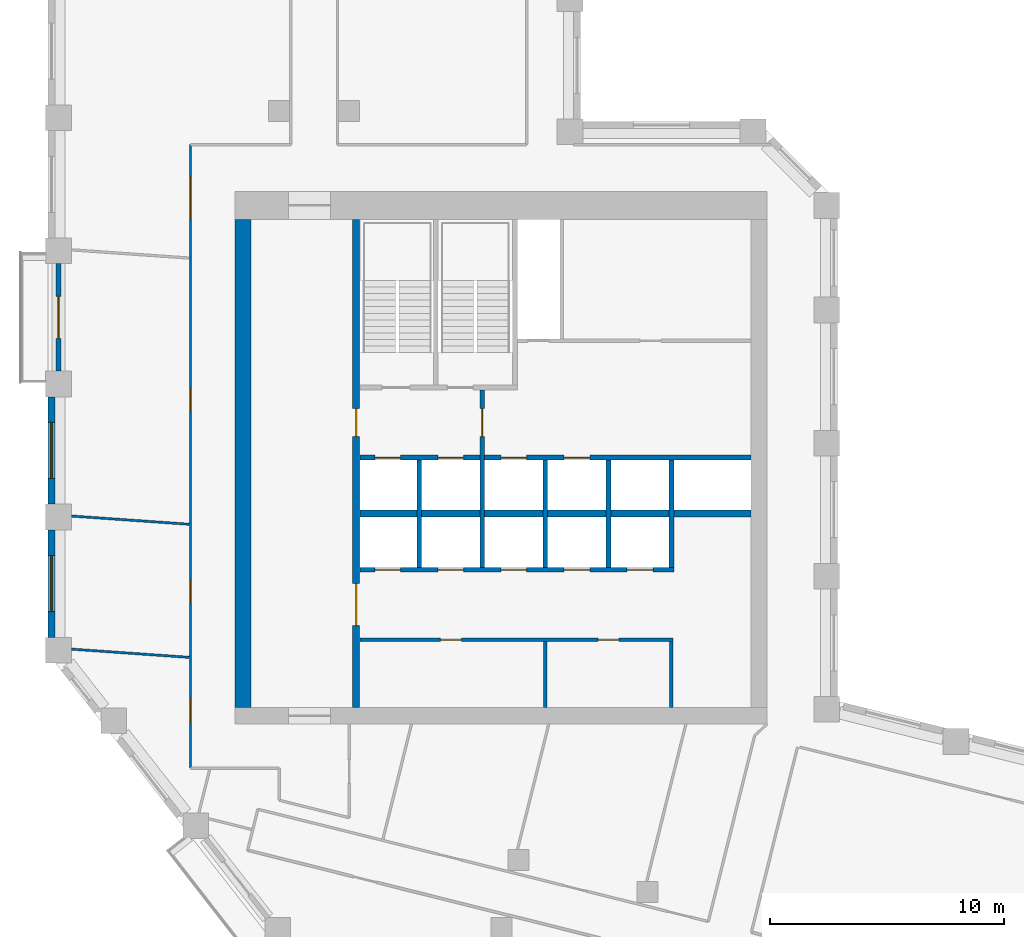
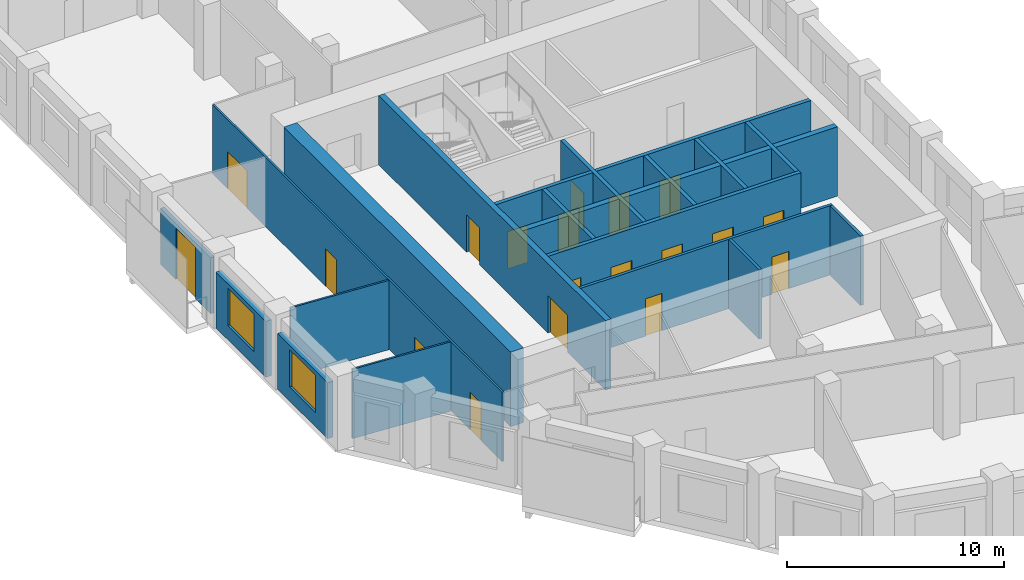
# One storey, part 5 of 10: 19 doors, 19 walls, 2 windows, 21 openings.
"""IFC4 building model written with IfcOpenShell, lengths in metres."""

from ifc_helpers import new_model, si_unit, direction, frame, frame_2d, origin, place, context, subcontext, project, spatial, rectangle, extrude, material, layer, layer_set, type_object, element, fill, save


model = new_model("IFC4")

# Units and contexts
model_context = context("Model", 3, precision=1e-05, world=origin(), true_north=direction((0.0, 1.0)))
body_context = subcontext(model_context, "Body", "Model", "MODEL_VIEW")
ifc_project = project(units=[si_unit("LENGTHUNIT", "METRE"), si_unit("AREAUNIT", "SQUARE_METRE"), si_unit("VOLUMEUNIT", "CUBIC_METRE"), si_unit("PLANEANGLEUNIT", "RADIAN"), si_unit("MASSUNIT", "GRAM", prefix="KILO")], contexts=[model_context])

# Site, building, storey
site_placement = place(None, origin())
site = spatial("IfcSite", under=ifc_project, at=site_placement, CompositionType="ELEMENT")
building_placement = place(site_placement, origin())
building = spatial("IfcBuilding", under=site, at=building_placement, Name="Meshkara Civic Tower", CompositionType="ELEMENT")
storey_placement = place(building_placement, frame((0.0, 0.0, 267.60009765625)))
storey = spatial("IfcBuildingStorey", under=building, at=storey_placement, Name="L61", CompositionType="ELEMENT", Elevation=267.60009765625)

# Wall, openings, doors
ifc_material_1 = material(Name="Blockwork", Category="masonry")
ifc_layer_1 = layer(ifc_material_1, 0.14990234375)
ifc_layer_set_1 = layer_set([ifc_layer_1], Name="Core partition 150")
wall_type_1 = type_object("IfcWallType", Name="Core partition 150", PredefinedType="PARTITIONING", material=ifc_layer_set_1)
wall_1_placement = place(storey_placement, frame((13.35009765625, 17.699951171875, 0.0), z_axis=(0.0, 0.0, 1.0), x_axis=(1.0, 0.0, 0.0)))
wall_1 = element("IfcWall", 1, at=wall_1_placement, inside=storey, type_object=wall_type_1, Name="L61-C005", PredefinedType="PARTITIONING", context=body_context, shape_type="SweptSolid", body=[
    extrude(rectangle(XDim=13.4248046875, YDim=0.14990234375, at=frame_2d((6.71240234375, 0.0))), origin(), (0.0, 0.0, 1.0), 3.89990234375),
])
opening_1_placement = place(wall_1_placement, frame((3.449951171875, 0.0, 0.0)))
opening_1 = element("IfcOpeningElement", 2, at=opening_1_placement, cuts=wall_1, Name="Opening L61-K010", PredefinedType="OPENING", context=body_context, shape_type="SweptSolid", body=[
    extrude(rectangle(XDim=0.89990234375, YDim=2.10009765625, at=frame_2d((0.449951171875, 1.050048828125))), frame((0.0, 0.0849609375, 0.0), z_axis=(0.0, -1.0, 0.0), x_axis=(1.0, 0.0, 0.0)), (0.0, 0.0, 1.0), 0.169921875),
])
opening_2_placement = place(wall_1_placement, frame((10.199951171875, 0.0, 0.0)))
opening_2 = element("IfcOpeningElement", 3, at=opening_2_placement, cuts=wall_1, Name="Opening L61-K011", PredefinedType="OPENING", context=body_context, shape_type="SweptSolid", body=[
    extrude(rectangle(XDim=0.89990234375, YDim=2.10009765625, at=frame_2d((0.449951171875, 1.050048828125))), frame((0.0, 0.0849609375, 0.0), z_axis=(0.0, -1.0, 0.0), x_axis=(1.0, 0.0, 0.0)), (0.0, 0.0, 1.0), 0.169921875),
])
ifc_material_2 = material(Name="Timber door leaf in steel frame", Category="steel")
door_type_1 = type_object("IfcDoorType", Name="Core room door 900", OperationType="SINGLE_SWING_LEFT", PredefinedType="DOOR", material=ifc_material_2)
door_1_placement = place(opening_1_placement, origin())
door_1 = element("IfcDoor", 4, at=door_1_placement, inside=storey, type_object=door_type_1, Name="L61-K010", OperationType="SINGLE_SWING_LEFT", OverallHeight=2.10009765625, OverallWidth=0.89990234375, PredefinedType="DOOR", context=body_context, shape_type="SweptSolid", body=[
    extrude(rectangle(XDim=0.89990234375, YDim=2.10009765625, at=frame_2d((0.449951171875, 1.050048828125))), frame((0.0, 0.02490234375, 0.0), z_axis=(0.0, -1.0, 0.0), x_axis=(1.0, 0.0, 0.0)), (0.0, 0.0, 1.0), 0.050048828125),
])
fill(opening_1, door_1)
door_2_placement = place(opening_2_placement, origin())
door_2 = element("IfcDoor", 5, at=door_2_placement, inside=storey, type_object=door_type_1, Name="L61-K011", OperationType="SINGLE_SWING_LEFT", OverallHeight=2.10009765625, OverallWidth=0.89990234375, PredefinedType="DOOR", context=body_context, shape_type="SweptSolid", body=[
    extrude(rectangle(XDim=0.89990234375, YDim=2.10009765625, at=frame_2d((0.449951171875, 1.050048828125))), frame((0.0, 0.02490234375, 0.0), z_axis=(0.0, -1.0, 0.0), x_axis=(1.0, 0.0, 0.0)), (0.0, 0.0, 1.0), 0.050048828125),
])
fill(opening_2, door_2)

# Walls
for number, where, z_axis, x_axis, name in (
    (6, (21.300048828125, 14.800048828125, 0.0), (0.0, 0.0, 1.0), (0.0, 1.0, 0.0), "L61-C016"),
    (7, (26.699951171875, 14.800048828125, 0.0), (0.0, 0.0, 1.0), (0.0, 1.0, 0.0), "L61-C020"),
):
    element("IfcWall", number, at=place(storey_placement, frame(where, z_axis=z_axis, x_axis=x_axis)), inside=storey, type_object=wall_type_1, Name=name, PredefinedType="PARTITIONING", context=body_context, shape_type="SweptSolid", body=[
        extrude(rectangle(XDim=2.824951171875, YDim=0.14990234375, at=frame_2d((1.41259765625, 0.0))), origin(), (0.0, 0.0, 1.0), 3.89990234375),
    ])
ifc_material_3 = material(Name="Concrete C60", Category="concrete")
ifc_layer_2 = layer(ifc_material_3, 0.699951171875)
ifc_layer_set_2 = layer_set([ifc_layer_2], Name="Core ring wall 700 C60")
wall_type_2 = type_object("IfcWallType", Name="Core ring wall 700 C60", PredefinedType="SHEAR", material=ifc_layer_set_2)
wall_2_placement = place(storey_placement, frame((8.35009765625, 14.800048828125, -0.300048828125), z_axis=(0.0, 0.0, 1.0), x_axis=(0.0, 1.0, 0.0)))
element("IfcWall", 8, at=wall_2_placement, inside=storey, type_object=wall_type_2, Name="L61-C003", PredefinedType="SHEAR", context=body_context, shape_type="SweptSolid", body=[
    extrude(rectangle(XDim=20.89990234375, YDim=0.699951171875, at=frame_2d((10.449951171875, 0.0))), origin(), (0.0, 0.0, 1.0), 4.199951171875),
])
ifc_material_4 = material(Name="Concrete C60", Category="concrete")
ifc_layer_3 = layer(ifc_material_4, 0.300048828125)
ifc_layer_set_3 = layer_set([ifc_layer_3], Name="Core shear wall 300 C60")
wall_type_3 = type_object("IfcWallType", Name="Core shear wall 300 C60", PredefinedType="SHEAR", material=ifc_layer_set_3)
wall_3_placement = place(storey_placement, frame((13.35009765625, 23.10009765625, 0.0), z_axis=(0.0, 0.0, 1.0), x_axis=(1.0, 0.0, 0.0)))
element("IfcWall", 9, at=wall_3_placement, inside=storey, type_object=wall_type_3, Name="L61-C007", PredefinedType="SHEAR", context=body_context, shape_type="SweptSolid", body=[
    extrude(rectangle(XDim=16.75, YDim=0.300048828125, at=frame_2d((8.375, 0.0))), origin(), (0.0, 0.0, 1.0), 3.89990234375),
])

# Wall, openings, doors
wall_4_placement = place(storey_placement, frame((13.199951171875, 14.800048828125, 0.0), z_axis=(0.0, 0.0, 1.0), x_axis=(0.0, 1.0, 0.0)))
wall_4 = element("IfcWall", 10, at=wall_4_placement, inside=storey, type_object=wall_type_3, Name="L61-C011", PredefinedType="SHEAR", context=body_context, shape_type="SweptSolid", body=[
    extrude(rectangle(XDim=20.89990234375, YDim=0.300048828125, at=frame_2d((10.449951171875, 0.0))), origin(), (0.0, 0.0, 1.0), 3.89990234375),
])
opening_3_placement = place(wall_4_placement, frame((3.5, 0.0, 0.0)))
opening_3 = element("IfcOpeningElement", 11, at=opening_3_placement, cuts=wall_4, Name="Opening L61-K016", PredefinedType="OPENING", context=body_context, shape_type="SweptSolid", body=[
    extrude(rectangle(XDim=1.800048828125, YDim=2.10009765625, at=frame_2d((0.89990234375, 1.050048828125))), frame((0.0, 0.159912109375, 0.0), z_axis=(0.0, -1.0, 0.0), x_axis=(1.0, 0.0, 0.0)), (0.0, 0.0, 1.0), 0.320068359375),
])
opening_4_placement = place(wall_4_placement, frame((11.60009765625, 0.0, 0.0)))
opening_4 = element("IfcOpeningElement", 12, at=opening_4_placement, cuts=wall_4, Name="Opening L61-K017", PredefinedType="OPENING", context=body_context, shape_type="SweptSolid", body=[
    extrude(rectangle(XDim=1.199951171875, YDim=2.10009765625, at=frame_2d((0.60009765625, 1.050048828125))), frame((0.0, 0.159912109375, 0.0), z_axis=(0.0, -1.0, 0.0), x_axis=(1.0, 0.0, 0.0)), (0.0, 0.0, 1.0), 0.320068359375),
])
ifc_material_5 = material(Name="Fire-rated door leaf in steel frame", Category="steel")
door_type_2 = type_object("IfcDoorType", Name="Core double door 1800 EI 60", OperationType="DOUBLE_DOOR_SINGLE_SWING", PredefinedType="DOOR", material=ifc_material_5)
door_3_placement = place(opening_3_placement, origin())
door_3 = element("IfcDoor", 13, at=door_3_placement, inside=storey, type_object=door_type_2, Name="L61-K016", OperationType="DOUBLE_DOOR_SINGLE_SWING", OverallHeight=2.10009765625, OverallWidth=1.800048828125, PredefinedType="DOOR", context=body_context, shape_type="SweptSolid", body=[
    extrude(rectangle(XDim=1.800048828125, YDim=2.10009765625, at=frame_2d((0.89990234375, 1.050048828125))), frame((0.0, 0.02490234375, 0.0), z_axis=(0.0, -1.0, 0.0), x_axis=(1.0, 0.0, 0.0)), (0.0, 0.0, 1.0), 0.050048828125),
])
fill(opening_3, door_3)
ifc_material_6 = material(Name="Fire-rated door leaf in steel frame", Category="steel")
door_type_3 = type_object("IfcDoorType", Name="Fire-fighting lobby door 1200 EI 120", OperationType="SINGLE_SWING_LEFT", PredefinedType="DOOR", material=ifc_material_6)
door_4_placement = place(opening_4_placement, origin())
door_4 = element("IfcDoor", 14, at=door_4_placement, inside=storey, type_object=door_type_3, Name="L61-K017", OperationType="SINGLE_SWING_LEFT", OverallHeight=2.10009765625, OverallWidth=1.199951171875, PredefinedType="DOOR", context=body_context, shape_type="SweptSolid", body=[
    extrude(rectangle(XDim=1.199951171875, YDim=2.10009765625, at=frame_2d((0.60009765625, 1.050048828125))), frame((0.0, 0.02490234375, 0.0), z_axis=(0.0, -1.0, 0.0), x_axis=(1.0, 0.0, 0.0)), (0.0, 0.0, 1.0), 0.050048828125),
])
fill(opening_4, door_4)

ifc_material_7 = material(Name="Corridor wall 100")
ifc_layer_4 = layer(ifc_material_7, 0.10009765625)
ifc_layer_set_4 = layer_set([ifc_layer_4], Name="Corridor wall 100")
wall_type_4 = type_object("IfcWallType", Name="Corridor wall 100", PredefinedType="PARTITIONING", material=ifc_layer_set_4)
wall_5_placement = place(storey_placement, frame((6.10009765625, 38.89990234375, 0.0), z_axis=(0.0, 0.0, 1.0), x_axis=(0.0, -1.0, 0.0)))
wall_5 = element("IfcWall", 15, at=wall_5_placement, inside=storey, type_object=wall_type_4, Name="L61-W005", PredefinedType="PARTITIONING", context=body_context, shape_type="SweptSolid", body=[
    extrude(rectangle(XDim=26.699951171875, YDim=0.10009765625, at=frame_2d((13.35009765625, 0.0))), origin(), (0.0, 0.0, 1.0), 3.89990234375),
])
opening_5_placement = place(wall_5_placement, frame((23.736083984375, 0.0, 0.0)))
opening_5 = element("IfcOpeningElement", 16, at=opening_5_placement, cuts=wall_5, Name="Opening L61-D016", PredefinedType="OPENING", context=body_context, shape_type="SweptSolid", body=[
    extrude(rectangle(XDim=1.0, YDim=2.10009765625, at=frame_2d((0.5, 1.050048828125))), frame((0.0, 0.06005859375, 0.0), z_axis=(0.0, -1.0, 0.0), x_axis=(1.0, 0.0, 0.0)), (0.0, 0.0, 1.0), 0.1201171875),
])
opening_6_placement = place(wall_5_placement, frame((18.635986328125, 0.0, 0.0)))
opening_6 = element("IfcOpeningElement", 17, at=opening_6_placement, cuts=wall_5, Name="Opening L61-D018", PredefinedType="OPENING", context=body_context, shape_type="SweptSolid", body=[
    extrude(rectangle(XDim=1.0, YDim=2.10009765625, at=frame_2d((0.5, 1.050048828125))), frame((0.0, 0.06005859375, 0.0), z_axis=(0.0, -1.0, 0.0), x_axis=(1.0, 0.0, 0.0)), (0.0, 0.0, 1.0), 0.1201171875),
])
opening_7_placement = place(wall_5_placement, frame((10.43603515625, 0.0, 0.0)))
opening_7 = element("IfcOpeningElement", 18, at=opening_7_placement, cuts=wall_5, Name="Opening L61-D019", PredefinedType="OPENING", context=body_context, shape_type="SweptSolid", body=[
    extrude(rectangle(XDim=1.0, YDim=2.10009765625, at=frame_2d((0.5, 1.050048828125))), frame((0.0, 0.06005859375, 0.0), z_axis=(0.0, -1.0, 0.0), x_axis=(1.0, 0.0, 0.0)), (0.0, 0.0, 1.0), 0.1201171875),
])
opening_8_placement = place(wall_5_placement, frame((1.3798828125, 0.0, 0.0)))
opening_8 = element("IfcOpeningElement", 19, at=opening_8_placement, cuts=wall_5, Name="Opening L61-D020", PredefinedType="OPENING", context=body_context, shape_type="SweptSolid", body=[
    extrude(rectangle(XDim=1.800048828125, YDim=2.10009765625, at=frame_2d((0.89990234375, 1.050048828125))), frame((0.0, 0.06005859375, 0.0), z_axis=(0.0, -1.0, 0.0), x_axis=(1.0, 0.0, 0.0)), (0.0, 0.0, 1.0), 0.1201171875),
])
ifc_material_8 = material(Name="Door 1000 x 2100")
door_type_4 = type_object("IfcDoorType", Name="Door 1000 x 2100", OperationType="SINGLE_SWING_LEFT", PredefinedType="DOOR", material=ifc_material_8)
door_5_placement = place(opening_5_placement, origin())
door_5 = element("IfcDoor", 20, at=door_5_placement, inside=storey, type_object=door_type_4, Name="L61-D016", OperationType="SINGLE_SWING_RIGHT", OverallHeight=2.10009765625, OverallWidth=1.0, PredefinedType="DOOR", context=body_context, shape_type="SweptSolid", body=[
    extrude(rectangle(XDim=1.0, YDim=2.10009765625, at=frame_2d((0.5, 1.050048828125))), frame((0.0, 0.02490234375, 0.0), z_axis=(0.0, -1.0, 0.0), x_axis=(1.0, 0.0, 0.0)), (0.0, 0.0, 1.0), 0.050048828125),
])
fill(opening_5, door_5)
door_6_placement = place(opening_6_placement, origin())
door_6 = element("IfcDoor", 21, at=door_6_placement, inside=storey, type_object=door_type_4, Name="L61-D018", OperationType="SINGLE_SWING_LEFT", OverallHeight=2.10009765625, OverallWidth=1.0, PredefinedType="DOOR", context=body_context, shape_type="SweptSolid", body=[
    extrude(rectangle(XDim=1.0, YDim=2.10009765625, at=frame_2d((0.5, 1.050048828125))), frame((0.0, 0.02490234375, 0.0), z_axis=(0.0, -1.0, 0.0), x_axis=(1.0, 0.0, 0.0)), (0.0, 0.0, 1.0), 0.050048828125),
])
fill(opening_6, door_6)
door_7_placement = place(opening_7_placement, origin())
door_7 = element("IfcDoor", 22, at=door_7_placement, inside=storey, type_object=door_type_4, Name="L61-D019", OperationType="SINGLE_SWING_LEFT", OverallHeight=2.10009765625, OverallWidth=1.0, PredefinedType="DOOR", context=body_context, shape_type="SweptSolid", body=[
    extrude(rectangle(XDim=1.0, YDim=2.10009765625, at=frame_2d((0.5, 1.050048828125))), frame((0.0, 0.02490234375, 0.0), z_axis=(0.0, -1.0, 0.0), x_axis=(1.0, 0.0, 0.0)), (0.0, 0.0, 1.0), 0.050048828125),
])
fill(opening_7, door_7)
ifc_material_9 = material(Name="Door pair 1800 x 2100")
door_type_5 = type_object("IfcDoorType", Name="Door pair 1800 x 2100", OperationType="SINGLE_SWING_LEFT", PredefinedType="DOOR", material=ifc_material_9)
door_8_placement = place(opening_8_placement, origin())
door_8 = element("IfcDoor", 23, at=door_8_placement, inside=storey, type_object=door_type_5, Name="L61-D020", OperationType="DOUBLE_DOOR_SINGLE_SWING", OverallHeight=2.10009765625, OverallWidth=1.800048828125, PredefinedType="DOOR", context=body_context, shape_type="SweptSolid", body=[
    extrude(rectangle(XDim=1.800048828125, YDim=2.10009765625, at=frame_2d((0.89990234375, 1.050048828125))), frame((0.0, 0.02490234375, 0.0), z_axis=(0.0, -1.0, 0.0), x_axis=(1.0, 0.0, 0.0)), (0.0, 0.0, 1.0), 0.050048828125),
])
fill(opening_8, door_8)

# Wall, opening, window
ifc_material_10 = material(Name="Insulated infill panel with bronze anodised aluminium cladding", Category="aluminium")
ifc_layer_5 = layer(ifc_material_10, 0.300048828125)
ifc_layer_set_5 = layer_set([ifc_layer_5], Name="EXTERNAL INFILL WALL 300")
wall_type_5 = type_object("IfcWallType", Name="EXTERNAL INFILL WALL 300", PredefinedType="SOLIDWALL", material=ifc_layer_set_5)
wall_6_placement = place(storey_placement, frame((0.14990234375, 28.10498046875, 0.0), z_axis=(0.0, 0.0, 1.0), x_axis=(0.0, -1.0, 0.0)))
wall_6 = element("IfcWall", 24, at=wall_6_placement, inside=storey, type_object=wall_type_5, Name="External wall", PredefinedType="SOLIDWALL", context=body_context, shape_type="SweptSolid", body=[
    extrude(rectangle(XDim=4.60009765625, YDim=0.300048828125, at=frame_2d((2.300048828125, 0.0))), origin(), (0.0, 0.0, 1.0), 3.14990234375),
])
opening_9_placement = place(wall_6_placement, frame((1.10009765625, 0.0, 0.800048828125)))
opening_9 = element("IfcOpeningElement", 25, at=opening_9_placement, cuts=wall_6, Name="Opening W7", PredefinedType="OPENING", context=body_context, shape_type="SweptSolid", body=[
    extrude(rectangle(XDim=2.39990234375, YDim=2.10009765625, at=frame_2d((1.199951171875, 1.050048828125))), frame((0.0, 0.159912109375, 0.0), z_axis=(0.0, -1.0, 0.0), x_axis=(1.0, 0.0, 0.0)), (0.0, 0.0, 1.0), 0.320068359375),
])
ifc_material_11 = material(Name="Tinted double glazing", Category="glass")
window_type = type_object("IfcWindowType", Name="WINDOW 2400x2100", PartitioningType="DOUBLE_PANEL_VERTICAL", PredefinedType="WINDOW", material=ifc_material_11)
window_1_placement = place(opening_9_placement, origin())
window_1 = element("IfcWindow", 26, at=window_1_placement, inside=storey, type_object=window_type, Name="Window", OverallHeight=2.10009765625, OverallWidth=2.39990234375, PartitioningType="DOUBLE_PANEL_VERTICAL", PredefinedType="WINDOW", context=body_context, shape_type="SweptSolid", body=[
    extrude(rectangle(XDim=2.39990234375, YDim=2.10009765625, at=frame_2d((1.199951171875, 1.050048828125))), frame((0.0, 0.030029296875, 0.0), z_axis=(0.0, -1.0, 0.0), x_axis=(1.0, 0.0, 0.0)), (0.0, 0.0, 1.0), 0.06005859375),
])
fill(opening_9, window_1)

wall_7_placement = place(storey_placement, frame((0.14990234375, 22.405029296875, 0.0), z_axis=(0.0, 0.0, 1.0), x_axis=(0.0, -1.0, 0.0)))
wall_7 = element("IfcWall", 27, at=wall_7_placement, inside=storey, type_object=wall_type_5, Name="External wall", PredefinedType="SOLIDWALL", context=body_context, shape_type="SweptSolid", body=[
    extrude(rectangle(XDim=4.60009765625, YDim=0.300048828125, at=frame_2d((2.300048828125, 0.0))), origin(), (0.0, 0.0, 1.0), 3.14990234375),
])
opening_10_placement = place(wall_7_placement, frame((1.10009765625, 0.0, 0.800048828125)))
opening_10 = element("IfcOpeningElement", 28, at=opening_10_placement, cuts=wall_7, Name="Opening W7", PredefinedType="OPENING", context=body_context, shape_type="SweptSolid", body=[
    extrude(rectangle(XDim=2.39990234375, YDim=2.10009765625, at=frame_2d((1.199951171875, 1.050048828125))), frame((0.0, 0.159912109375, 0.0), z_axis=(0.0, -1.0, 0.0), x_axis=(1.0, 0.0, 0.0)), (0.0, 0.0, 1.0), 0.320068359375),
])
window_2_placement = place(opening_10_placement, origin())
window_2 = element("IfcWindow", 29, at=window_2_placement, inside=storey, type_object=window_type, Name="Window", OverallHeight=2.10009765625, OverallWidth=2.39990234375, PartitioningType="DOUBLE_PANEL_VERTICAL", PredefinedType="WINDOW", context=body_context, shape_type="SweptSolid", body=[
    extrude(rectangle(XDim=2.39990234375, YDim=2.10009765625, at=frame_2d((1.199951171875, 1.050048828125))), frame((0.0, 0.030029296875, 0.0), z_axis=(0.0, -1.0, 0.0), x_axis=(1.0, 0.0, 0.0)), (0.0, 0.0, 1.0), 0.06005859375),
])
fill(opening_10, window_2)

# Wall, opening, door
ifc_material_12 = material(Name="Insulated infill panel with bronze anodised aluminium cladding", Category="aluminium")
ifc_layer_6 = layer(ifc_material_12, 0.199951171875)
ifc_layer_set_6 = layer_set([ifc_layer_6], Name="LOGGIA BACK WALL 200")
wall_type_6 = type_object("IfcWallType", Name="LOGGIA BACK WALL 200", PredefinedType="SOLIDWALL", material=ifc_layer_set_6)
wall_8_placement = place(storey_placement, frame((0.449951171875, 33.804931640625, 0.0), z_axis=(0.0, 0.0, 1.0), x_axis=(0.0, -1.0, 0.0)))
wall_8 = element("IfcWall", 30, at=wall_8_placement, inside=storey, type_object=wall_type_6, Name="Loggia wall", PredefinedType="SOLIDWALL", context=body_context, shape_type="SweptSolid", body=[
    extrude(rectangle(XDim=4.598876953125, YDim=0.199951171875, at=frame_2d((2.29931640625, 0.0))), origin(), (0.0, 0.0, 1.0), 3.14990234375),
])
opening_11_placement = place(wall_8_placement, frame((1.39990234375, 0.0, 0.0)))
opening_11 = element("IfcOpeningElement", 31, at=opening_11_placement, cuts=wall_8, Name="Opening L61-L001", PredefinedType="OPENING", context=body_context, shape_type="SweptSolid", body=[
    extrude(rectangle(XDim=1.800048828125, YDim=2.89990234375, at=frame_2d((0.89990234375, 1.449951171875))), frame((0.0, 0.10986328125, 0.0), z_axis=(0.0, -1.0, 0.0), x_axis=(1.0, 0.0, 0.0)), (0.0, 0.0, 1.0), 0.219970703125),
])
ifc_material_13 = material(Name="Tinted double glazing", Category="glass")
door_type_6 = type_object("IfcDoorType", Name="LOGGIA DOOR 1800x2900", OperationType="DOUBLE_DOOR_SINGLE_SWING", PredefinedType="DOOR", material=ifc_material_13)
door_9_placement = place(opening_11_placement, origin())
door_9 = element("IfcDoor", 32, at=door_9_placement, inside=storey, type_object=door_type_6, Name="L61-L001", OperationType="DOUBLE_DOOR_SINGLE_SWING", OverallHeight=2.89990234375, OverallWidth=1.800048828125, PredefinedType="DOOR", context=body_context, shape_type="SweptSolid", body=[
    extrude(rectangle(XDim=1.800048828125, YDim=2.89990234375, at=frame_2d((0.89990234375, 1.449951171875))), frame((0.0, 0.02490234375, 0.0), z_axis=(0.0, -1.0, 0.0), x_axis=(1.0, 0.0, 0.0)), (0.0, 0.0, 1.0), 0.050048828125),
])
fill(opening_11, door_9)

# Walls
ifc_material_14 = material(Name="Partition 100")
ifc_layer_7 = layer(ifc_material_14, 0.10009765625)
ifc_layer_set_7 = layer_set([ifc_layer_7], Name="Partition 100")
wall_type_7 = type_object("IfcWallType", Name="Partition 100", PredefinedType="PARTITIONING", material=ifc_layer_set_7)
for number, where, z_axis, x_axis, name in (
    (33, (6.047119140625, 16.944091796875, 0.0), (0.0, 0.0, 1.0), (-0.9975626968, 0.06977582642, 0.0), "L61-W036"),
    (34, (6.047119140625, 22.64404296875, 0.0), (0.0, 0.0, 1.0), (-0.9975626968, 0.06977582642, 0.0), "L61-W037"),
):
    element("IfcWall", number, at=place(storey_placement, frame(where, z_axis=z_axis, x_axis=x_axis)), inside=storey, type_object=wall_type_7, Name=name, PredefinedType="PARTITIONING", context=body_context, shape_type="SweptSolid", body=[
        extrude(rectangle(XDim=5.0595703125, YDim=0.10009765625, at=frame_2d((2.52978515625, 0.0))), origin(), (0.0, 0.0, 1.0), 3.89990234375),
    ])

# Wall, openings, doors
ifc_material_15 = material(Name="Concrete C40/50", Category="concrete")
ifc_layer_8 = layer(ifc_material_15, 0.199951171875)
ifc_layer_set_8 = layer_set([ifc_layer_8], Name="Shaft wall 200 C40/50")
wall_type_8 = type_object("IfcWallType", Name="Shaft wall 200 C40/50", PredefinedType="SOLIDWALL", material=ifc_layer_set_8)
wall_9_placement = place(storey_placement, frame((13.35009765625, 20.699951171875, 0.0), z_axis=(0.0, 0.0, 1.0), x_axis=(1.0, 0.0, 0.0)))
wall_9 = element("IfcWall", 35, at=wall_9_placement, inside=storey, type_object=wall_type_8, Name="L61-C006", PredefinedType="SOLIDWALL", context=body_context, shape_type="SweptSolid", body=[
    extrude(rectangle(XDim=13.449951171875, YDim=0.199951171875, at=frame_2d((6.72509765625, 0.0))), origin(), (0.0, 0.0, 1.0), 3.89990234375),
])
opening_12_placement = place(wall_9_placement, frame((0.64990234375, 0.0, 0.0)))
opening_12 = element("IfcOpeningElement", 36, at=opening_12_placement, cuts=wall_9, Name="Opening L61-K001", PredefinedType="OPENING", context=body_context, shape_type="SweptSolid", body=[
    extrude(rectangle(XDim=1.10009765625, YDim=2.10009765625, at=frame_2d((0.550048828125, 1.050048828125))), frame((0.0, 0.10986328125, 0.0), z_axis=(0.0, -1.0, 0.0), x_axis=(1.0, 0.0, 0.0)), (0.0, 0.0, 1.0), 0.219970703125),
])
opening_13_placement = place(wall_9_placement, frame((3.35009765625, 0.0, 0.0)))
opening_13 = element("IfcOpeningElement", 37, at=opening_13_placement, cuts=wall_9, Name="Opening L61-K002", PredefinedType="OPENING", context=body_context, shape_type="SweptSolid", body=[
    extrude(rectangle(XDim=1.10009765625, YDim=2.10009765625, at=frame_2d((0.550048828125, 1.050048828125))), frame((0.0, 0.10986328125, 0.0), z_axis=(0.0, -1.0, 0.0), x_axis=(1.0, 0.0, 0.0)), (0.0, 0.0, 1.0), 0.219970703125),
])
opening_14_placement = place(wall_9_placement, frame((6.050048828125, 0.0, 0.0)))
opening_14 = element("IfcOpeningElement", 38, at=opening_14_placement, cuts=wall_9, Name="Opening L61-K003", PredefinedType="OPENING", context=body_context, shape_type="SweptSolid", body=[
    extrude(rectangle(XDim=1.10009765625, YDim=2.10009765625, at=frame_2d((0.550048828125, 1.050048828125))), frame((0.0, 0.10986328125, 0.0), z_axis=(0.0, -1.0, 0.0), x_axis=(1.0, 0.0, 0.0)), (0.0, 0.0, 1.0), 0.219970703125),
])
opening_15_placement = place(wall_9_placement, frame((8.75, 0.0, 0.0)))
opening_15 = element("IfcOpeningElement", 39, at=opening_15_placement, cuts=wall_9, Name="Opening L61-K004", PredefinedType="OPENING", context=body_context, shape_type="SweptSolid", body=[
    extrude(rectangle(XDim=1.10009765625, YDim=2.10009765625, at=frame_2d((0.550048828125, 1.050048828125))), frame((0.0, 0.10986328125, 0.0), z_axis=(0.0, -1.0, 0.0), x_axis=(1.0, 0.0, 0.0)), (0.0, 0.0, 1.0), 0.219970703125),
])
opening_16_placement = place(wall_9_placement, frame((11.449951171875, 0.0, 0.0)))
opening_16 = element("IfcOpeningElement", 40, at=opening_16_placement, cuts=wall_9, Name="Opening L61-K005", PredefinedType="OPENING", context=body_context, shape_type="SweptSolid", body=[
    extrude(rectangle(XDim=1.10009765625, YDim=2.10009765625, at=frame_2d((0.550048828125, 1.050048828125))), frame((0.0, 0.10986328125, 0.0), z_axis=(0.0, -1.0, 0.0), x_axis=(1.0, 0.0, 0.0)), (0.0, 0.0, 1.0), 0.219970703125),
])
ifc_material_16 = material(Name="Stainless steel landing door", Category="steel")
door_type_7 = type_object("IfcDoorType", Name="Lift landing door 1100", OperationType="SLIDING_TO_LEFT", PredefinedType="DOOR", material=ifc_material_16)
door_10_placement = place(opening_12_placement, origin())
door_10 = element("IfcDoor", 41, at=door_10_placement, inside=storey, type_object=door_type_7, Name="L61-K001", OperationType="SLIDING_TO_LEFT", OverallHeight=2.10009765625, OverallWidth=1.10009765625, PredefinedType="DOOR", context=body_context, shape_type="SweptSolid", body=[
    extrude(rectangle(XDim=1.10009765625, YDim=2.10009765625, at=frame_2d((0.550048828125, 1.050048828125))), frame((0.0, 0.02490234375, 0.0), z_axis=(0.0, -1.0, 0.0), x_axis=(1.0, 0.0, 0.0)), (0.0, 0.0, 1.0), 0.050048828125),
])
fill(opening_12, door_10)
door_11_placement = place(opening_13_placement, origin())
door_11 = element("IfcDoor", 42, at=door_11_placement, inside=storey, type_object=door_type_7, Name="L61-K002", OperationType="SLIDING_TO_LEFT", OverallHeight=2.10009765625, OverallWidth=1.10009765625, PredefinedType="DOOR", context=body_context, shape_type="SweptSolid", body=[
    extrude(rectangle(XDim=1.10009765625, YDim=2.10009765625, at=frame_2d((0.550048828125, 1.050048828125))), frame((0.0, 0.02490234375, 0.0), z_axis=(0.0, -1.0, 0.0), x_axis=(1.0, 0.0, 0.0)), (0.0, 0.0, 1.0), 0.050048828125),
])
fill(opening_13, door_11)
door_12_placement = place(opening_14_placement, origin())
door_12 = element("IfcDoor", 43, at=door_12_placement, inside=storey, type_object=door_type_7, Name="L61-K003", OperationType="SLIDING_TO_LEFT", OverallHeight=2.10009765625, OverallWidth=1.10009765625, PredefinedType="DOOR", context=body_context, shape_type="SweptSolid", body=[
    extrude(rectangle(XDim=1.10009765625, YDim=2.10009765625, at=frame_2d((0.550048828125, 1.050048828125))), frame((0.0, 0.02490234375, 0.0), z_axis=(0.0, -1.0, 0.0), x_axis=(1.0, 0.0, 0.0)), (0.0, 0.0, 1.0), 0.050048828125),
])
fill(opening_14, door_12)
door_13_placement = place(opening_15_placement, origin())
door_13 = element("IfcDoor", 44, at=door_13_placement, inside=storey, type_object=door_type_7, Name="L61-K004", OperationType="SLIDING_TO_LEFT", OverallHeight=2.10009765625, OverallWidth=1.10009765625, PredefinedType="DOOR", context=body_context, shape_type="SweptSolid", body=[
    extrude(rectangle(XDim=1.10009765625, YDim=2.10009765625, at=frame_2d((0.550048828125, 1.050048828125))), frame((0.0, 0.02490234375, 0.0), z_axis=(0.0, -1.0, 0.0), x_axis=(1.0, 0.0, 0.0)), (0.0, 0.0, 1.0), 0.050048828125),
])
fill(opening_15, door_13)
door_14_placement = place(opening_16_placement, origin())
door_14 = element("IfcDoor", 45, at=door_14_placement, inside=storey, type_object=door_type_7, Name="L61-K005", OperationType="SLIDING_TO_LEFT", OverallHeight=2.10009765625, OverallWidth=1.10009765625, PredefinedType="DOOR", context=body_context, shape_type="SweptSolid", body=[
    extrude(rectangle(XDim=1.10009765625, YDim=2.10009765625, at=frame_2d((0.550048828125, 1.050048828125))), frame((0.0, 0.02490234375, 0.0), z_axis=(0.0, -1.0, 0.0), x_axis=(1.0, 0.0, 0.0)), (0.0, 0.0, 1.0), 0.050048828125),
])
fill(opening_16, door_14)

wall_10_placement = place(storey_placement, frame((13.35009765625, 25.5, 0.0), z_axis=(0.0, 0.0, 1.0), x_axis=(1.0, 0.0, 0.0)))
wall_10 = element("IfcWall", 46, at=wall_10_placement, inside=storey, type_object=wall_type_8, Name="L61-C008", PredefinedType="SOLIDWALL", context=body_context, shape_type="SweptSolid", body=[
    extrude(rectangle(XDim=16.75, YDim=0.199951171875, at=frame_2d((8.375, 0.0))), origin(), (0.0, 0.0, 1.0), 3.89990234375),
])
opening_17_placement = place(wall_10_placement, frame((0.64990234375, 0.0, 0.0)))
opening_17 = element("IfcOpeningElement", 47, at=opening_17_placement, cuts=wall_10, Name="Opening L61-K006", PredefinedType="OPENING", context=body_context, shape_type="SweptSolid", body=[
    extrude(rectangle(XDim=1.10009765625, YDim=2.10009765625, at=frame_2d((0.550048828125, 1.050048828125))), frame((0.0, 0.10986328125, 0.0), z_axis=(0.0, -1.0, 0.0), x_axis=(1.0, 0.0, 0.0)), (0.0, 0.0, 1.0), 0.219970703125),
])
opening_18_placement = place(wall_10_placement, frame((3.35009765625, 0.0, 0.0)))
opening_18 = element("IfcOpeningElement", 48, at=opening_18_placement, cuts=wall_10, Name="Opening L61-K007", PredefinedType="OPENING", context=body_context, shape_type="SweptSolid", body=[
    extrude(rectangle(XDim=1.10009765625, YDim=2.10009765625, at=frame_2d((0.550048828125, 1.050048828125))), frame((0.0, 0.10986328125, 0.0), z_axis=(0.0, -1.0, 0.0), x_axis=(1.0, 0.0, 0.0)), (0.0, 0.0, 1.0), 0.219970703125),
])
opening_19_placement = place(wall_10_placement, frame((6.050048828125, 0.0, 0.0)))
opening_19 = element("IfcOpeningElement", 49, at=opening_19_placement, cuts=wall_10, Name="Opening L61-K008", PredefinedType="OPENING", context=body_context, shape_type="SweptSolid", body=[
    extrude(rectangle(XDim=1.10009765625, YDim=2.10009765625, at=frame_2d((0.550048828125, 1.050048828125))), frame((0.0, 0.10986328125, 0.0), z_axis=(0.0, -1.0, 0.0), x_axis=(1.0, 0.0, 0.0)), (0.0, 0.0, 1.0), 0.219970703125),
])
opening_20_placement = place(wall_10_placement, frame((8.75, 0.0, 0.0)))
opening_20 = element("IfcOpeningElement", 50, at=opening_20_placement, cuts=wall_10, Name="Opening L61-K009", PredefinedType="OPENING", context=body_context, shape_type="SweptSolid", body=[
    extrude(rectangle(XDim=1.10009765625, YDim=2.10009765625, at=frame_2d((0.550048828125, 1.050048828125))), frame((0.0, 0.10986328125, 0.0), z_axis=(0.0, -1.0, 0.0), x_axis=(1.0, 0.0, 0.0)), (0.0, 0.0, 1.0), 0.219970703125),
])
door_15_placement = place(opening_17_placement, origin())
door_15 = element("IfcDoor", 51, at=door_15_placement, inside=storey, type_object=door_type_7, Name="L61-K006", OperationType="SLIDING_TO_LEFT", OverallHeight=2.10009765625, OverallWidth=1.10009765625, PredefinedType="DOOR", context=body_context, shape_type="SweptSolid", body=[
    extrude(rectangle(XDim=1.10009765625, YDim=2.10009765625, at=frame_2d((0.550048828125, 1.050048828125))), frame((0.0, 0.02490234375, 0.0), z_axis=(0.0, -1.0, 0.0), x_axis=(1.0, 0.0, 0.0)), (0.0, 0.0, 1.0), 0.050048828125),
])
fill(opening_17, door_15)
door_16_placement = place(opening_18_placement, origin())
door_16 = element("IfcDoor", 52, at=door_16_placement, inside=storey, type_object=door_type_7, Name="L61-K007", OperationType="SLIDING_TO_LEFT", OverallHeight=2.10009765625, OverallWidth=1.10009765625, PredefinedType="DOOR", context=body_context, shape_type="SweptSolid", body=[
    extrude(rectangle(XDim=1.10009765625, YDim=2.10009765625, at=frame_2d((0.550048828125, 1.050048828125))), frame((0.0, 0.02490234375, 0.0), z_axis=(0.0, -1.0, 0.0), x_axis=(1.0, 0.0, 0.0)), (0.0, 0.0, 1.0), 0.050048828125),
])
fill(opening_18, door_16)
door_17_placement = place(opening_19_placement, origin())
door_17 = element("IfcDoor", 53, at=door_17_placement, inside=storey, type_object=door_type_7, Name="L61-K008", OperationType="SLIDING_TO_LEFT", OverallHeight=2.10009765625, OverallWidth=1.10009765625, PredefinedType="DOOR", context=body_context, shape_type="SweptSolid", body=[
    extrude(rectangle(XDim=1.10009765625, YDim=2.10009765625, at=frame_2d((0.550048828125, 1.050048828125))), frame((0.0, 0.02490234375, 0.0), z_axis=(0.0, -1.0, 0.0), x_axis=(1.0, 0.0, 0.0)), (0.0, 0.0, 1.0), 0.050048828125),
])
fill(opening_19, door_17)
door_18_placement = place(opening_20_placement, origin())
door_18 = element("IfcDoor", 54, at=door_18_placement, inside=storey, type_object=door_type_7, Name="L61-K009", OperationType="SLIDING_TO_LEFT", OverallHeight=2.10009765625, OverallWidth=1.10009765625, PredefinedType="DOOR", context=body_context, shape_type="SweptSolid", body=[
    extrude(rectangle(XDim=1.10009765625, YDim=2.10009765625, at=frame_2d((0.550048828125, 1.050048828125))), frame((0.0, 0.02490234375, 0.0), z_axis=(0.0, -1.0, 0.0), x_axis=(1.0, 0.0, 0.0)), (0.0, 0.0, 1.0), 0.050048828125),
])
fill(opening_20, door_18)

# Wall
wall_11_placement = place(storey_placement, frame((15.89990234375, 20.800048828125, 0.0), z_axis=(0.0, 0.0, 1.0), x_axis=(0.0, 1.0, 0.0)))
element("IfcWall", 55, at=wall_11_placement, inside=storey, type_object=wall_type_8, Name="L61-C012", PredefinedType="SOLIDWALL", context=body_context, shape_type="SweptSolid", body=[
    extrude(rectangle(XDim=4.599853515625, YDim=0.199951171875, at=frame_2d((2.2998046875, 0.0))), origin(), (0.0, 0.0, 1.0), 3.89990234375),
])

# Wall, opening, door
wall_12_placement = place(storey_placement, frame((18.60009765625, 20.800048828125, 0.0), z_axis=(0.0, 0.0, 1.0), x_axis=(0.0, 1.0, 0.0)))
wall_12 = element("IfcWall", 56, at=wall_12_placement, inside=storey, type_object=wall_type_8, Name="L61-C014", PredefinedType="SOLIDWALL", context=body_context, shape_type="SweptSolid", body=[
    extrude(rectangle(XDim=7.599853515625, YDim=0.199951171875, at=frame_2d((3.7998046875, 0.0))), origin(), (0.0, 0.0, 1.0), 3.89990234375),
])
opening_21_placement = place(wall_12_placement, frame((5.60009765625, 0.0, 0.0)))
opening_21 = element("IfcOpeningElement", 57, at=opening_21_placement, cuts=wall_12, Name="Opening L61-K018", PredefinedType="OPENING", context=body_context, shape_type="SweptSolid", body=[
    extrude(rectangle(XDim=1.199951171875, YDim=2.10009765625, at=frame_2d((0.60009765625, 1.050048828125))), frame((0.0, 0.10986328125, 0.0), z_axis=(0.0, -1.0, 0.0), x_axis=(1.0, 0.0, 0.0)), (0.0, 0.0, 1.0), 0.219970703125),
])
door_19_placement = place(opening_21_placement, origin())
door_19 = element("IfcDoor", 58, at=door_19_placement, inside=storey, type_object=door_type_3, Name="L61-K018", OperationType="SINGLE_SWING_RIGHT", OverallHeight=2.10009765625, OverallWidth=1.199951171875, PredefinedType="DOOR", context=body_context, shape_type="SweptSolid", body=[
    extrude(rectangle(XDim=1.199951171875, YDim=2.10009765625, at=frame_2d((0.60009765625, 1.050048828125))), frame((0.0, 0.02490234375, 0.0), z_axis=(0.0, -1.0, 0.0), x_axis=(1.0, 0.0, 0.0)), (0.0, 0.0, 1.0), 0.050048828125),
])
fill(opening_21, door_19)

# Walls
for number, where, z_axis, x_axis, name in (
    (59, (21.300048828125, 20.800048828125, 0.0), (0.0, 0.0, 1.0), (0.0, 1.0, 0.0), "L61-C017"),
    (60, (24.0, 20.800048828125, 0.0), (0.0, 0.0, 1.0), (0.0, 1.0, 0.0), "L61-C019"),
    (61, (26.699951171875, 20.800048828125, 0.0), (0.0, 0.0, 1.0), (0.0, 1.0, 0.0), "L61-C021"),
):
    element("IfcWall", number, at=place(storey_placement, frame(where, z_axis=z_axis, x_axis=x_axis)), inside=storey, type_object=wall_type_8, Name=name, PredefinedType="SOLIDWALL", context=body_context, shape_type="SweptSolid", body=[
        extrude(rectangle(XDim=4.599853515625, YDim=0.199951171875, at=frame_2d((2.2998046875, 0.0))), origin(), (0.0, 0.0, 1.0), 3.89990234375),
    ])

save(model, "model.ifc")
